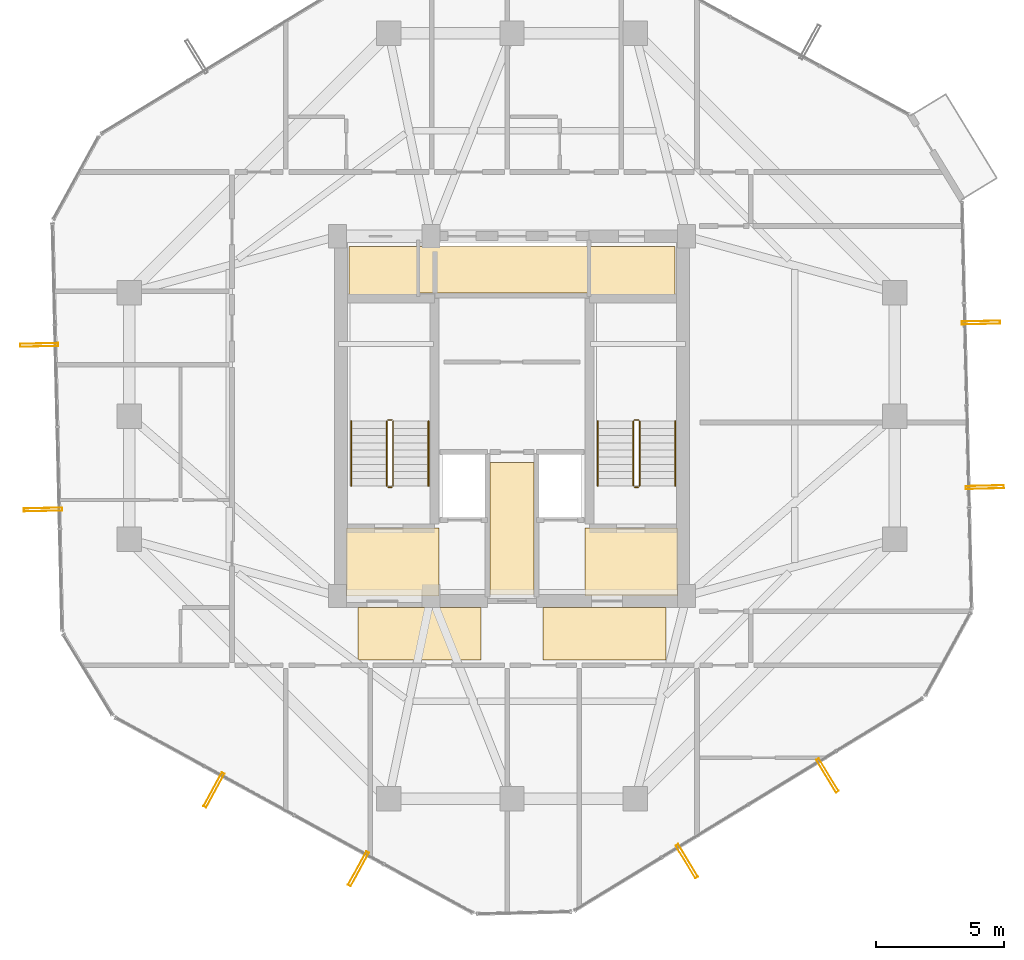
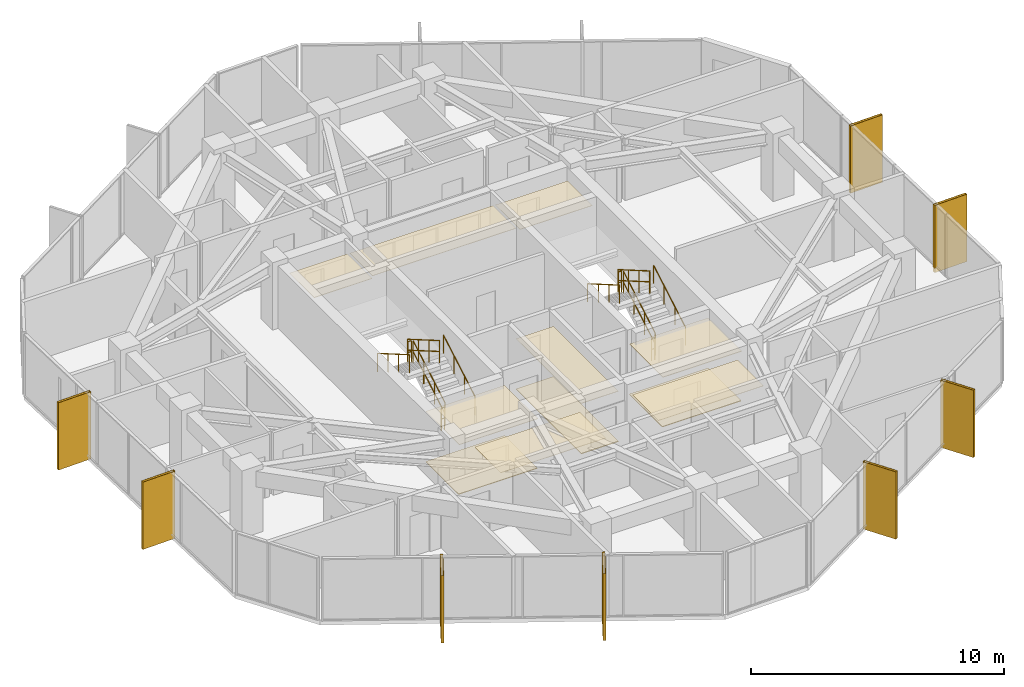
# One storey, part 31 of 32: 12 railings, 11 coverings, 8 shading devices.
"""IFC4 building model written with IfcOpenShell, lengths in metres."""

from ifc_helpers import new_model, si_unit, direction, frame, origin, origin_2d, place, context, subcontext, project, spatial, polyline, hollow_rectangle, circle, outline, extrude, material, layer, layer_set, material_profile, profile_set, type_object, element, save


model = new_model("IFC4")

# Units and contexts
model_context = context("Model", 3, precision=1e-05, world=origin(), true_north=direction((0.0, 1.0)))
body_context = subcontext(model_context, "Body", "Model", "MODEL_VIEW")
ifc_project = project(units=[si_unit("LENGTHUNIT", "METRE"), si_unit("AREAUNIT", "SQUARE_METRE"), si_unit("VOLUMEUNIT", "CUBIC_METRE"), si_unit("PLANEANGLEUNIT", "RADIAN"), si_unit("MASSUNIT", "GRAM", prefix="KILO")], contexts=[model_context])

# Site, building, storey
site_placement = place(None, origin())
site = spatial("IfcSite", under=ifc_project, at=site_placement, CompositionType="ELEMENT")
building_placement = place(site_placement, origin())
building = spatial("IfcBuilding", under=site, at=building_placement, Name="Veraguas Prism Commons", CompositionType="ELEMENT")
storey_placement = place(building_placement, frame((0.0, 0.0, 201.60009765625)))
storey = spatial("IfcBuildingStorey", under=building, at=storey_placement, Name="L57", CompositionType="ELEMENT", Elevation=201.60009765625)

# Shading devices
ifc_material_1 = material(Name="Anodised aluminium EN AW-6063 T6", Category="aluminium")
ifc_material_profile = material_profile(ifc_material_1, hollow_rectangle(XDim=0.1201171875, YDim=1.489990234375, WallThickness=0.006103515625, at=origin_2d()), Name="FIN120X1490X6")
ifc_profile_set = profile_set([ifc_material_profile], Name="Anodised aluminium EN AW-6063 T6")
shading_device_type = type_object("IfcShadingDeviceType", Name="Deep Pale-Metal Vertical Solar Fin 120x1490", PredefinedType="USERDEFINED", material=ifc_profile_set)
for number, where, z_axis, x_axis, name in (
    (1, (5.593994140625, 26.768310546875, -0.215087890625), (0.0, 0.0, 1.0), (0.023735993792, -0.999718261611, 0.0), "Vertical Pale-Metal Solar Fin L57-F3A"),
    (2, (5.74609375, 20.361083984375, -0.215087890625), (0.0, 0.0, 1.0), (0.023735993792, -0.999718261611, 0.0), "Vertical Pale-Metal Solar Fin L57-F3B"),
    (3, (12.3994140625, 9.444091796875, -0.215087890625), (0.0, 0.0, 1.0), (0.87764606189, -0.479309284335, 0.0), "Vertical Pale-Metal Solar Fin L57-F4A"),
    (4, (18.024169921875, 6.372314453125, -0.215087890625), (0.0, 0.0, 1.0), (0.87764606189, -0.479309284335, 0.0), "Vertical Pale-Metal Solar Fin L57-F4B"),
    (5, (30.805419921875, 6.675537109375, -0.215087890625), (0.0, 0.0, 1.0), (0.853914322581, 0.520413614052, 0.0), "Vertical Pale-Metal Solar Fin L57-F5A"),
    (6, (36.2783203125, 10.010986328125, -0.215087890625), (0.0, 0.0, 1.0), (0.853914322581, 0.520413614052, 0.0), "Vertical Pale-Metal Solar Fin L57-F5B"),
    (7, (42.406005859375, 21.231689453125, -0.215087890625), (0.0, 0.0, 1.0), (-0.023735993792, 0.999718261611, 0.0), "Vertical Pale-Metal Solar Fin L57-F6A"),
    (8, (42.25390625, 27.638916015625, -0.215087890625), (0.0, 0.0, 1.0), (-0.023735993792, 0.999718261611, 0.0), "Vertical Pale-Metal Solar Fin L57-F6B"),
):
    element("IfcShadingDevice", number, at=place(storey_placement, frame(where, z_axis=z_axis, x_axis=x_axis)), inside=storey, type_object=shading_device_type, Name=name, ObjectType="FIN", PredefinedType="USERDEFINED", context=body_context, shape_type="SweptSolid", body=[
        extrude(hollow_rectangle(XDim=0.1201171875, YDim=1.489990234375, WallThickness=0.006103515625, at=origin_2d()), origin(), (0.0, 0.0, 1.0), 3.25),
    ])

# Coverings
ifc_material_2 = material(Name="Acoustic gypsum board")
ifc_layer_1 = layer(ifc_material_2, 0.02490234375, Name="Perforated Acoustic Ceiling Tile 25")
ifc_layer_set_1 = layer_set([ifc_layer_1], Name="Acoustic gypsum board")
covering_type_1 = type_object("IfcCoveringType", Name="Perforated Acoustic Ceiling Tile 25", PredefinedType="USERDEFINED", material=ifc_layer_set_1)
covering_1_placement = place(storey_placement, frame((0.0, 0.0, 2.4248046875)))
element("IfcCovering", 9, at=covering_1_placement, inside=storey, type_object=covering_type_1, Name="East Lobby Acoustic Ceiling L57", ObjectType="ACOUSTIC CEILING", PredefinedType="USERDEFINED", context=body_context, shape_type="SweptSolid", body=[
    extrude(outline(polyline([(26.85009765625, 17.0), (30.449951171875, 17.0), (30.449951171875, 19.64990234375), (26.85009765625, 19.64990234375), (26.85009765625, 17.0)])), origin(), (0.0, 0.0, 1.0), 0.025146484375),
])
ifc_material_3 = material(Name="Terrazzo stone finish", Category="masonry")
ifc_layer_2 = layer(ifc_material_3, 0.030029296875, Name="Polished Terrazzo Floor Finish 30", Category="masonry")
ifc_layer_set_2 = layer_set([ifc_layer_2], Name="Terrazzo stone finish")
covering_type_2 = type_object("IfcCoveringType", Name="Polished Terrazzo Floor Finish 30", PredefinedType="FLOORING", material=ifc_layer_set_2)
covering_2_placement = place(storey_placement, origin())
element("IfcCovering", 10, at=covering_2_placement, inside=storey, type_object=covering_type_2, Name="Terrazzo Lobby Flooring L57", PredefinedType="FLOORING", context=body_context, shape_type="SweptSolid", body=[
    extrude(outline(polyline([(23.14990234375, 17.050048828125), (24.85009765625, 17.050048828125), (24.85009765625, 22.199951171875), (23.14990234375, 22.199951171875), (23.14990234375, 17.050048828125)])), origin(), (0.0, 0.0, 1.0), 0.02978515625),
])
covering_3_placement = place(storey_placement, origin())
element("IfcCovering", 11, at=covering_3_placement, inside=storey, type_object=covering_type_2, Name="West FF Lobby Terrazzo Flooring L57", PredefinedType="FLOORING", context=body_context, shape_type="SweptSolid", body=[
    extrude(outline(polyline([(17.550048828125, 17.050048828125), (21.14990234375, 17.050048828125), (21.14990234375, 19.64990234375), (17.550048828125, 19.64990234375), (17.550048828125, 17.050048828125)])), origin(), (0.0, 0.0, 1.0), 0.02978515625),
])
covering_4_placement = place(storey_placement, origin())
element("IfcCovering", 12, at=covering_4_placement, inside=storey, type_object=covering_type_2, Name="East FF Lobby Terrazzo Flooring L57", PredefinedType="FLOORING", context=body_context, shape_type="SweptSolid", body=[
    extrude(outline(polyline([(26.85009765625, 17.050048828125), (30.449951171875, 17.050048828125), (30.449951171875, 19.64990234375), (26.85009765625, 19.64990234375), (26.85009765625, 17.050048828125)])), origin(), (0.0, 0.0, 1.0), 0.02978515625),
])

# Railings
ifc_material_4 = material(Name="Stainless steel AISI 316", Category="steel")
railing_type_1 = type_object("IfcRailingType", Name="Stair and Ramp Stainless Handrail 900", PredefinedType="HANDRAIL", material=ifc_material_4)
railing_1_placement = place(storey_placement, frame((20.75, 21.280029296875, 0.162353515625)))
element("IfcRailing", 13, at=railing_1_placement, inside=storey, type_object=railing_type_1, Name="Stair Handrail ST-01 L57-1", PredefinedType="HANDRAIL", context=body_context, shape_type="SweptSolid", body=[
    extrude(circle(Radius=0.02392578125, at=origin_2d()), frame((0.0, 0.0, 0.8759765625), z_axis=(0.0, 0.864876961378, 0.501983905795), x_axis=(-1.0, 0.0, 0.0)), (0.0, 0.0, 1.0), 2.913818359375),
    extrude(circle(Radius=0.02099609375, at=origin_2d()), origin(), (0.0, 0.0, 1.0), 0.851806640625),
    extrude(circle(Radius=0.02099609375, at=origin_2d()), frame((0.0, 0.840087890625, 0.487548828125)), (0.0, 0.0, 1.0), 0.851806640625),
    extrude(circle(Radius=0.02099609375, at=origin_2d()), frame((0.0, 1.679931640625, 0.97509765625)), (0.0, 0.0, 1.0), 0.851806640625),
    extrude(circle(Radius=0.02099609375, at=origin_2d()), frame((0.0, 2.52001953125, 1.462646484375)), (0.0, 0.0, 1.0), 0.851806640625),
])
railing_2_placement = place(storey_placement, frame((17.739990234375, 23.800048828125, 1.787353515625)))
element("IfcRailing", 14, at=railing_2_placement, inside=storey, type_object=railing_type_1, Name="Stair Handrail ST-01 L57-2", PredefinedType="HANDRAIL", context=body_context, shape_type="SweptSolid", body=[
    extrude(circle(Radius=0.02392578125, at=origin_2d()), frame((0.0, 0.0, 0.8759765625), z_axis=(0.0, -0.864876961378, 0.501983905795), x_axis=(1.0, 0.0, 0.0)), (0.0, 0.0, 1.0), 2.913818359375),
    extrude(circle(Radius=0.02099609375, at=origin_2d()), origin(), (0.0, 0.0, 1.0), 0.851806640625),
    extrude(circle(Radius=0.02099609375, at=origin_2d()), frame((0.0, -0.840087890625, 0.487548828125)), (0.0, 0.0, 1.0), 0.851806640625),
    extrude(circle(Radius=0.02099609375, at=origin_2d()), frame((0.0, -1.679931640625, 0.97509765625)), (0.0, 0.0, 1.0), 0.851806640625),
    extrude(circle(Radius=0.02099609375, at=origin_2d()), frame((0.0, -2.52001953125, 1.462646484375)), (0.0, 0.0, 1.0), 0.851806640625),
])
railing_3_placement = place(storey_placement, frame((30.35009765625, 21.280029296875, 0.162353515625)))
element("IfcRailing", 15, at=railing_3_placement, inside=storey, type_object=railing_type_1, Name="Stair Handrail ST-02 L57-1", PredefinedType="HANDRAIL", context=body_context, shape_type="SweptSolid", body=[
    extrude(circle(Radius=0.02392578125, at=origin_2d()), frame((0.0, 0.0, 0.8759765625), z_axis=(0.0, 0.864876961378, 0.501983905795), x_axis=(-1.0, 0.0, 0.0)), (0.0, 0.0, 1.0), 2.913818359375),
    extrude(circle(Radius=0.02099609375, at=origin_2d()), origin(), (0.0, 0.0, 1.0), 0.851806640625),
    extrude(circle(Radius=0.02099609375, at=origin_2d()), frame((0.0, 0.840087890625, 0.487548828125)), (0.0, 0.0, 1.0), 0.851806640625),
    extrude(circle(Radius=0.02099609375, at=origin_2d()), frame((0.0, 1.679931640625, 0.97509765625)), (0.0, 0.0, 1.0), 0.851806640625),
    extrude(circle(Radius=0.02099609375, at=origin_2d()), frame((0.0, 2.52001953125, 1.462646484375)), (0.0, 0.0, 1.0), 0.851806640625),
])
railing_4_placement = place(storey_placement, frame((27.340087890625, 23.800048828125, 1.787353515625)))
element("IfcRailing", 16, at=railing_4_placement, inside=storey, type_object=railing_type_1, Name="Stair Handrail ST-02 L57-2", PredefinedType="HANDRAIL", context=body_context, shape_type="SweptSolid", body=[
    extrude(circle(Radius=0.02392578125, at=origin_2d()), frame((0.0, 0.0, 0.8759765625), z_axis=(0.0, -0.864876961378, 0.501983905795), x_axis=(1.0, 0.0, 0.0)), (0.0, 0.0, 1.0), 2.913818359375),
    extrude(circle(Radius=0.02099609375, at=origin_2d()), origin(), (0.0, 0.0, 1.0), 0.851806640625),
    extrude(circle(Radius=0.02099609375, at=origin_2d()), frame((0.0, -0.840087890625, 0.487548828125)), (0.0, 0.0, 1.0), 0.851806640625),
    extrude(circle(Radius=0.02099609375, at=origin_2d()), frame((0.0, -1.679931640625, 0.97509765625)), (0.0, 0.0, 1.0), 0.851806640625),
    extrude(circle(Radius=0.02099609375, at=origin_2d()), frame((0.0, -2.52001953125, 1.462646484375)), (0.0, 0.0, 1.0), 0.851806640625),
])
railing_type_2 = type_object("IfcRailingType", Name="Stairwell Safety Guardrail 1100", PredefinedType="GUARDRAIL", material=ifc_material_4)
railing_5_placement = place(storey_placement, frame((19.3701171875, 21.280029296875, 0.162353515625)))
element("IfcRailing", 17, at=railing_5_placement, inside=storey, type_object=railing_type_2, Name="Stair Guard ST-01 L57-1", PredefinedType="GUARDRAIL", context=body_context, shape_type="SweptSolid", body=[
    extrude(circle(Radius=0.02392578125, at=origin_2d()), frame((0.0, 0.0, 1.076171875), z_axis=(0.0, 0.864876961378, 0.501983905795), x_axis=(-1.0, 0.0, 0.0)), (0.0, 0.0, 1.0), 2.913818359375),
    extrude(circle(Radius=0.02392578125, at=origin_2d()), frame((0.0, 0.0, 0.550048828125), z_axis=(0.0, 0.864876961378, 0.501983905795), x_axis=(-1.0, 0.0, 0.0)), (0.0, 0.0, 1.0), 2.913818359375),
    extrude(circle(Radius=0.02099609375, at=origin_2d()), origin(), (0.0, 0.0, 1.0), 1.052001953125),
    extrude(circle(Radius=0.02099609375, at=origin_2d()), frame((0.0, 0.840087890625, 0.487548828125)), (0.0, 0.0, 1.0), 1.052001953125),
    extrude(circle(Radius=0.02099609375, at=origin_2d()), frame((0.0, 1.679931640625, 0.97509765625)), (0.0, 0.0, 1.0), 1.052001953125),
    extrude(circle(Radius=0.02099609375, at=origin_2d()), frame((0.0, 2.52001953125, 1.462646484375)), (0.0, 0.0, 1.0), 1.052001953125),
])
railing_6_placement = place(storey_placement, frame((19.320068359375, 23.85009765625, 1.625)))
element("IfcRailing", 18, at=railing_6_placement, inside=storey, type_object=railing_type_2, Name="Stair Guard ST-01 L57-2", PredefinedType="GUARDRAIL", context=body_context, shape_type="SweptSolid", body=[
    extrude(circle(Radius=0.02392578125, at=origin_2d()), frame((0.0, 0.0, 1.076171875), z_axis=(-1.0, 0.0, 0.0), x_axis=(0.0, -1.0, 0.0)), (0.0, 0.0, 1.0), 0.150146484375),
    extrude(circle(Radius=0.02392578125, at=origin_2d()), frame((0.0, 0.0, 0.550048828125), z_axis=(-1.0, 0.0, 0.0), x_axis=(0.0, -1.0, 0.0)), (0.0, 0.0, 1.0), 0.150146484375),
    extrude(circle(Radius=0.02099609375, at=origin_2d()), origin(), (0.0, 0.0, 1.0), 1.052001953125),
    extrude(circle(Radius=0.02099609375, at=origin_2d()), frame((-0.150146484375, 0.0, 0.0)), (0.0, 0.0, 1.0), 1.052001953125),
])
railing_7_placement = place(storey_placement, frame((19.1201171875, 23.800048828125, 1.787353515625)))
element("IfcRailing", 19, at=railing_7_placement, inside=storey, type_object=railing_type_2, Name="Stair Guard ST-01 L57-3", PredefinedType="GUARDRAIL", context=body_context, shape_type="SweptSolid", body=[
    extrude(circle(Radius=0.02392578125, at=origin_2d()), frame((0.0, 0.0, 1.076171875), z_axis=(0.0, -0.864876961378, 0.501983905795), x_axis=(1.0, 0.0, 0.0)), (0.0, 0.0, 1.0), 2.913818359375),
    extrude(circle(Radius=0.02392578125, at=origin_2d()), frame((0.0, 0.0, 0.550048828125), z_axis=(0.0, -0.864876961378, 0.501983905795), x_axis=(1.0, 0.0, 0.0)), (0.0, 0.0, 1.0), 2.913818359375),
    extrude(circle(Radius=0.02099609375, at=origin_2d()), origin(), (0.0, 0.0, 1.0), 1.052001953125),
    extrude(circle(Radius=0.02099609375, at=origin_2d()), frame((0.0, -0.840087890625, 0.487548828125)), (0.0, 0.0, 1.0), 1.052001953125),
    extrude(circle(Radius=0.02099609375, at=origin_2d()), frame((0.0, -1.679931640625, 0.97509765625)), (0.0, 0.0, 1.0), 1.052001953125),
    extrude(circle(Radius=0.02099609375, at=origin_2d()), frame((0.0, -2.52001953125, 1.462646484375)), (0.0, 0.0, 1.0), 1.052001953125),
])
railing_8_placement = place(storey_placement, frame((19.320068359375, 21.22998046875, 0.0)))
element("IfcRailing", 20, at=railing_8_placement, inside=storey, type_object=railing_type_2, Name="Stair Guard ST-01 L57-4", PredefinedType="GUARDRAIL", context=body_context, shape_type="SweptSolid", body=[
    extrude(circle(Radius=0.02392578125, at=origin_2d()), frame((0.0, 0.0, 1.076171875), z_axis=(-1.0, 0.0, 0.0), x_axis=(0.0, -1.0, 0.0)), (0.0, 0.0, 1.0), 0.150146484375),
    extrude(circle(Radius=0.02392578125, at=origin_2d()), frame((0.0, 0.0, 0.550048828125), z_axis=(-1.0, 0.0, 0.0), x_axis=(0.0, -1.0, 0.0)), (0.0, 0.0, 1.0), 0.150146484375),
    extrude(circle(Radius=0.02099609375, at=origin_2d()), origin(), (0.0, 0.0, 1.0), 1.052001953125),
    extrude(circle(Radius=0.02099609375, at=origin_2d()), frame((-0.150146484375, 0.0, 0.0)), (0.0, 0.0, 1.0), 1.052001953125),
])
railing_9_placement = place(storey_placement, frame((28.969970703125, 21.280029296875, 0.162353515625)))
element("IfcRailing", 21, at=railing_9_placement, inside=storey, type_object=railing_type_2, Name="Stair Guard ST-02 L57-1", PredefinedType="GUARDRAIL", context=body_context, shape_type="SweptSolid", body=[
    extrude(circle(Radius=0.02392578125, at=origin_2d()), frame((0.0, 0.0, 1.076171875), z_axis=(0.0, 0.864876961378, 0.501983905795), x_axis=(-1.0, 0.0, 0.0)), (0.0, 0.0, 1.0), 2.913818359375),
    extrude(circle(Radius=0.02392578125, at=origin_2d()), frame((0.0, 0.0, 0.550048828125), z_axis=(0.0, 0.864876961378, 0.501983905795), x_axis=(-1.0, 0.0, 0.0)), (0.0, 0.0, 1.0), 2.913818359375),
    extrude(circle(Radius=0.02099609375, at=origin_2d()), origin(), (0.0, 0.0, 1.0), 1.052001953125),
    extrude(circle(Radius=0.02099609375, at=origin_2d()), frame((0.0, 0.840087890625, 0.487548828125)), (0.0, 0.0, 1.0), 1.052001953125),
    extrude(circle(Radius=0.02099609375, at=origin_2d()), frame((0.0, 1.679931640625, 0.97509765625)), (0.0, 0.0, 1.0), 1.052001953125),
    extrude(circle(Radius=0.02099609375, at=origin_2d()), frame((0.0, 2.52001953125, 1.462646484375)), (0.0, 0.0, 1.0), 1.052001953125),
])
railing_10_placement = place(storey_placement, frame((28.919921875, 23.85009765625, 1.625)))
element("IfcRailing", 22, at=railing_10_placement, inside=storey, type_object=railing_type_2, Name="Stair Guard ST-02 L57-2", PredefinedType="GUARDRAIL", context=body_context, shape_type="SweptSolid", body=[
    extrude(circle(Radius=0.02392578125, at=origin_2d()), frame((0.0, 0.0, 1.076171875), z_axis=(-1.0, 0.0, 0.0), x_axis=(0.0, -1.0, 0.0)), (0.0, 0.0, 1.0), 0.14990234375),
    extrude(circle(Radius=0.02392578125, at=origin_2d()), frame((0.0, 0.0, 0.550048828125), z_axis=(-1.0, 0.0, 0.0), x_axis=(0.0, -1.0, 0.0)), (0.0, 0.0, 1.0), 0.14990234375),
    extrude(circle(Radius=0.02099609375, at=origin_2d()), origin(), (0.0, 0.0, 1.0), 1.052001953125),
    extrude(circle(Radius=0.02099609375, at=origin_2d()), frame((-0.14990234375, 0.0, 0.0)), (0.0, 0.0, 1.0), 1.052001953125),
])
railing_11_placement = place(storey_placement, frame((28.719970703125, 23.800048828125, 1.787353515625)))
element("IfcRailing", 23, at=railing_11_placement, inside=storey, type_object=railing_type_2, Name="Stair Guard ST-02 L57-3", PredefinedType="GUARDRAIL", context=body_context, shape_type="SweptSolid", body=[
    extrude(circle(Radius=0.02392578125, at=origin_2d()), frame((0.0, 0.0, 1.076171875), z_axis=(0.0, -0.864876961378, 0.501983905795), x_axis=(1.0, 0.0, 0.0)), (0.0, 0.0, 1.0), 2.913818359375),
    extrude(circle(Radius=0.02392578125, at=origin_2d()), frame((0.0, 0.0, 0.550048828125), z_axis=(0.0, -0.864876961378, 0.501983905795), x_axis=(1.0, 0.0, 0.0)), (0.0, 0.0, 1.0), 2.913818359375),
    extrude(circle(Radius=0.02099609375, at=origin_2d()), origin(), (0.0, 0.0, 1.0), 1.052001953125),
    extrude(circle(Radius=0.02099609375, at=origin_2d()), frame((0.0, -0.840087890625, 0.487548828125)), (0.0, 0.0, 1.0), 1.052001953125),
    extrude(circle(Radius=0.02099609375, at=origin_2d()), frame((0.0, -1.679931640625, 0.97509765625)), (0.0, 0.0, 1.0), 1.052001953125),
    extrude(circle(Radius=0.02099609375, at=origin_2d()), frame((0.0, -2.52001953125, 1.462646484375)), (0.0, 0.0, 1.0), 1.052001953125),
])
railing_12_placement = place(storey_placement, frame((28.919921875, 21.22998046875, 0.0)))
element("IfcRailing", 24, at=railing_12_placement, inside=storey, type_object=railing_type_2, Name="Stair Guard ST-02 L57-4", PredefinedType="GUARDRAIL", context=body_context, shape_type="SweptSolid", body=[
    extrude(circle(Radius=0.02392578125, at=origin_2d()), frame((0.0, 0.0, 1.076171875), z_axis=(-1.0, 0.0, 0.0), x_axis=(0.0, -1.0, 0.0)), (0.0, 0.0, 1.0), 0.14990234375),
    extrude(circle(Radius=0.02392578125, at=origin_2d()), frame((0.0, 0.0, 0.550048828125), z_axis=(-1.0, 0.0, 0.0), x_axis=(0.0, -1.0, 0.0)), (0.0, 0.0, 1.0), 0.14990234375),
    extrude(circle(Radius=0.02099609375, at=origin_2d()), origin(), (0.0, 0.0, 1.0), 1.052001953125),
    extrude(circle(Radius=0.02099609375, at=origin_2d()), frame((-0.14990234375, 0.0, 0.0)), (0.0, 0.0, 1.0), 1.052001953125),
])

# Coverings
ifc_layer_3 = layer(ifc_material_2, 0.02001953125, Name="Suspended Gypsum Ceiling 20")
ifc_layer_set_3 = layer_set([ifc_layer_3], Name="Acoustic gypsum board")
covering_type_3 = type_object("IfcCoveringType", Name="Suspended Gypsum Ceiling 20", PredefinedType="CEILING", material=ifc_layer_set_3)
covering_5_placement = place(storey_placement, frame((0.0, 0.0, 2.429931640625)))
element("IfcCovering", 25, at=covering_5_placement, inside=storey, type_object=covering_type_3, Name="West Lobby Suspended Gypsum Ceiling L57", PredefinedType="CEILING", context=body_context, shape_type="SweptSolid", body=[
    extrude(outline(polyline([(17.550048828125, 17.0), (21.14990234375, 17.0), (21.14990234375, 19.64990234375), (17.550048828125, 19.64990234375), (17.550048828125, 17.0)])), origin(), (0.0, 0.0, 1.0), 0.02001953125),
])
covering_6_placement = place(storey_placement, frame((0.0, 0.0, 2.429931640625)))
element("IfcCovering", 26, at=covering_6_placement, inside=storey, type_object=covering_type_3, Name="Core Lobby Acoustic Ceiling L57-1", PredefinedType="CEILING", context=body_context, shape_type="SweptSolid", body=[
    extrude(outline(polyline([(18.0, 14.5), (22.800048828125, 14.5), (22.800048828125, 16.550048828125), (18.0, 16.550048828125), (18.0, 14.5)])), origin(), (0.0, 0.0, 1.0), 0.02001953125),
])
covering_7_placement = place(storey_placement, frame((0.0, 0.0, 2.429931640625)))
element("IfcCovering", 27, at=covering_7_placement, inside=storey, type_object=covering_type_3, Name="Core Lobby Acoustic Ceiling L57-2", PredefinedType="CEILING", context=body_context, shape_type="SweptSolid", body=[
    extrude(outline(polyline([(25.199951171875, 14.5), (30.0, 14.5), (30.0, 16.550048828125), (25.199951171875, 16.550048828125), (25.199951171875, 14.5)])), origin(), (0.0, 0.0, 1.0), 0.02001953125),
])
covering_8_placement = place(storey_placement, frame((0.0, 0.0, 2.429931640625)))
element("IfcCovering", 28, at=covering_8_placement, inside=storey, type_object=covering_type_3, Name="Core Lobby Acoustic Ceiling L57-3", PredefinedType="CEILING", context=body_context, shape_type="SweptSolid", body=[
    extrude(outline(polyline([(23.14990234375, 17.050048828125), (24.85009765625, 17.050048828125), (24.85009765625, 22.199951171875), (23.14990234375, 22.199951171875), (23.14990234375, 17.050048828125)])), origin(), (0.0, 0.0, 1.0), 0.02001953125),
])
covering_9_placement = place(storey_placement, frame((0.0, 0.0, 2.429931640625)))
element("IfcCovering", 29, at=covering_9_placement, inside=storey, type_object=covering_type_3, Name="Core Lobby Acoustic Ceiling L57-4", PredefinedType="CEILING", context=body_context, shape_type="SweptSolid", body=[
    extrude(outline(polyline([(17.64990234375, 28.64990234375), (20.300048828125, 28.64990234375), (20.300048828125, 30.60009765625), (17.64990234375, 30.60009765625), (17.64990234375, 28.64990234375)])), origin(), (0.0, 0.0, 1.0), 0.02001953125),
])
covering_10_placement = place(storey_placement, frame((0.0, 0.0, 2.429931640625)))
element("IfcCovering", 30, at=covering_10_placement, inside=storey, type_object=covering_type_3, Name="Core Lobby Acoustic Ceiling L57-5", PredefinedType="CEILING", context=body_context, shape_type="SweptSolid", body=[
    extrude(outline(polyline([(27.050048828125, 28.64990234375), (30.35009765625, 28.64990234375), (30.35009765625, 30.60009765625), (27.050048828125, 30.60009765625), (27.050048828125, 28.64990234375)])), origin(), (0.0, 0.0, 1.0), 0.02001953125),
])
covering_11_placement = place(storey_placement, frame((0.0, 0.0, 2.429931640625)))
element("IfcCovering", 31, at=covering_11_placement, inside=storey, type_object=covering_type_3, Name="Core Lobby Acoustic Ceiling L57-6", PredefinedType="CEILING", context=body_context, shape_type="SweptSolid", body=[
    extrude(outline(polyline([(20.39990234375, 28.800048828125), (26.949951171875, 28.800048828125), (26.949951171875, 30.60009765625), (20.39990234375, 30.60009765625), (20.39990234375, 28.800048828125)])), origin(), (0.0, 0.0, 1.0), 0.02001953125),
])

save(model, "model.ifc")
